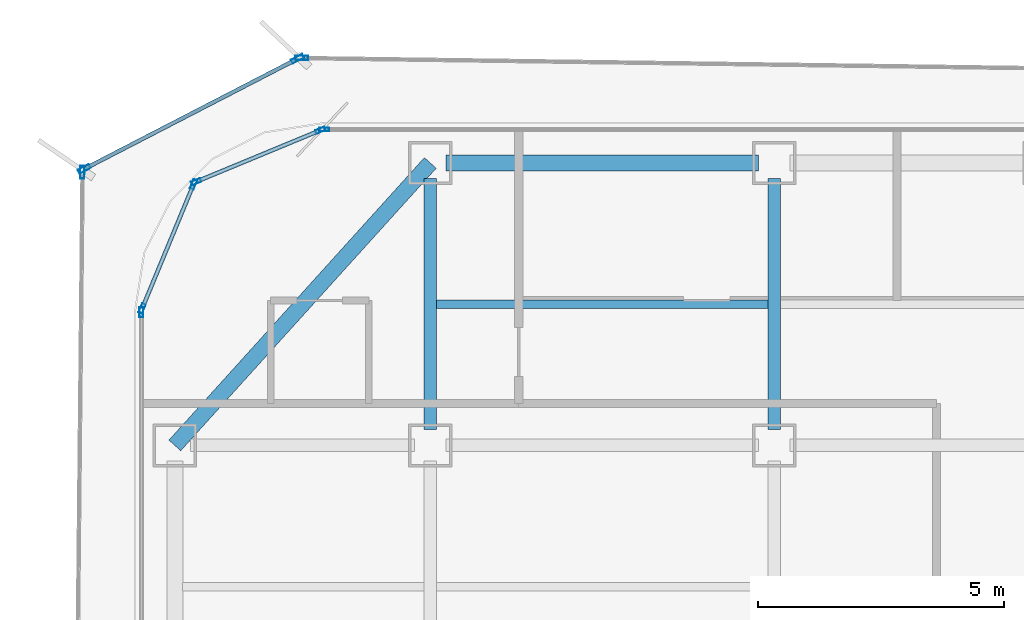
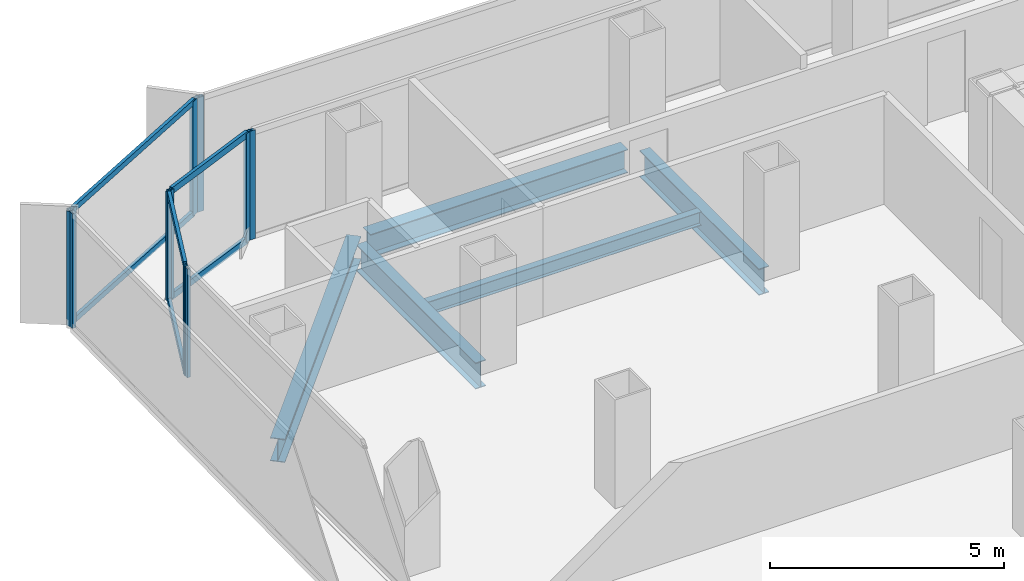
# One storey, part 10 of 21: 16 members, 5 beams, 7 elements without a shape of their own.
"""IFC4 building model written with IfcOpenShell, lengths in metres."""

from ifc_helpers import new_model, si_unit, direction, frame, origin, origin_2d, place, context, subcontext, project, spatial, hollow_rectangle, i_section, extrude, source, transform, mapped, material, layer, layer_set, material_profile, profile_set, type_object, element, aggregate, save


model = new_model("IFC4")

# Units and contexts
model_context = context("Model", 3, precision=1e-05, world=origin(), true_north=direction((0.0, 1.0)))
body_context = subcontext(model_context, "Body", "Model", "MODEL_VIEW")
ifc_project = project(units=[si_unit("LENGTHUNIT", "METRE"), si_unit("AREAUNIT", "SQUARE_METRE"), si_unit("VOLUMEUNIT", "CUBIC_METRE"), si_unit("PLANEANGLEUNIT", "RADIAN"), si_unit("MASSUNIT", "GRAM", prefix="KILO")], contexts=[model_context])

# Site, building, storey
site_placement = place(None, origin())
site = spatial("IfcSite", under=ifc_project, at=site_placement, CompositionType="ELEMENT")
building_placement = place(site_placement, origin())
building = spatial("IfcBuilding", under=site, at=building_placement, Name="Kolveth Station Tower", CompositionType="ELEMENT")
storey_placement = place(building_placement, frame((0.0, 0.0, 148.39990234375)))
storey = spatial("IfcBuildingStorey", under=building, at=storey_placement, Name="L41", CompositionType="ELEMENT", Elevation=148.39990234375)

# Beams
ifc_material_1 = material(Name="Steel S355", Category="steel")
ifc_material_profile_1 = material_profile(ifc_material_1, i_section(OverallWidth=0.323974609375, OverallDepth=0.611083984375, WebThickness=0.0126953125, FlangeThickness=0.01904296875, at=origin_2d()), Name="W610x155")
ifc_profile_set_1 = profile_set([ifc_material_profile_1], Name="Steel S355")
beam_type_1 = type_object("IfcBeamType", Name="Beam_SP2", PredefinedType="SPANDREL", material=ifc_profile_set_1)
shared_shape_1 = source(origin(), body_context, "Body", "SweptSolid", [
    extrude(i_section(OverallWidth=0.323974609375, OverallDepth=0.611083984375, WebThickness=0.0126953125, FlangeThickness=0.01904296875, at=origin_2d()), origin(), (0.0, 0.0, 1.0), 6.35986328125),
])
beam_1_placement = place(storey_placement, frame((6.320068359375, 34.5, -0.555419921875), z_axis=(1.0, 0.0, 0.0), x_axis=(0.0, 1.0, 0.0)))
element("IfcBeam", 1, at=beam_1_placement, inside=storey, type_object=beam_type_1, Name="L41 Perimeter Spandrel BM-L41-PN-1", PredefinedType="SPANDREL", context=body_context, shape_type="MappedRepresentation", body=[
    mapped(shared_shape_1, transform((0.0, 0.0, 0.0), x_axis=(1.0, 0.0, 0.0), y_axis=(0.0, 1.0, 0.0), z_axis=(0.0, 0.0, 1.0), scale=1.0)),
])
shared_shape_2 = source(origin(), body_context, "Body", "SweptSolid", [
    extrude(i_section(OverallWidth=0.323974609375, OverallDepth=0.611083984375, WebThickness=0.0126953125, FlangeThickness=0.01904296875, at=origin_2d()), origin(), (0.0, 0.0, 1.0), 7.75244140625),
])
beam_2_placement = place(storey_placement, frame((6.0, 34.5, -0.555419921875), z_axis=(-0.670740965555, -0.74169168603, 0.0), x_axis=(0.74169168603, -0.670740965555, 0.0)))
element("IfcBeam", 2, at=beam_2_placement, inside=storey, type_object=beam_type_1, Name="L41 Corner Edge Girder BM-L41-CNR-NW", PredefinedType="SPANDREL", context=body_context, shape_type="MappedRepresentation", body=[
    mapped(shared_shape_2, transform((0.0, 0.0, 0.0), x_axis=(1.0, 0.0, 0.0), y_axis=(0.0, 1.0, 0.0), z_axis=(0.0, 0.0, 1.0), scale=1.0)),
])
ifc_material_profile_2 = material_profile(ifc_material_1, i_section(OverallWidth=0.25390625, OverallDepth=0.68798828125, WebThickness=0.01318359375, FlangeThickness=0.02099609375, at=origin_2d()), Name="W690x152")
ifc_profile_set_2 = profile_set([ifc_material_profile_2], Name="Steel S355")
beam_type_2 = type_object("IfcBeamType", Name="Beam_B4", PredefinedType="BEAM", material=ifc_profile_set_2)
shared_shape_3 = source(origin(), body_context, "Body", "SweptSolid", [
    extrude(i_section(OverallWidth=0.25390625, OverallDepth=0.68798828125, WebThickness=0.01318359375, FlangeThickness=0.02099609375, at=origin_2d()), origin(), (0.0, 0.0, 1.0), 5.10986328125),
])
for number, where, z_axis, x_axis, name in (
    (3, (6.0, 29.070068359375, -0.593994140625), (0.0, 1.0, 0.0), (-1.0, 0.0, 0.0), "L41 Primary Girder BM-L41-GX60-6"),
    (4, (13.0, 29.070068359375, -0.593994140625), (0.0, 1.0, 0.0), (-1.0, 0.0, 0.0), "L41 Primary Girder BM-L41-GX130-6"),
):
    element("IfcBeam", number, at=place(storey_placement, frame(where, z_axis=z_axis, x_axis=x_axis)), inside=storey, type_object=beam_type_2, Name=name, PredefinedType="BEAM", context=body_context, shape_type="MappedRepresentation", body=[
        mapped(shared_shape_3, transform((0.0, 0.0, 0.0), x_axis=(1.0, 0.0, 0.0), y_axis=(0.0, 1.0, 0.0), z_axis=(0.0, 0.0, 1.0), scale=1.0)),
    ])
ifc_material_profile_3 = material_profile(ifc_material_1, i_section(OverallWidth=0.1708984375, OverallDepth=0.35205078125, WebThickness=0.0068359375, FlangeThickness=0.009765625, at=origin_2d()), Name="W360x44")
ifc_profile_set_3 = profile_set([ifc_material_profile_3], Name="Steel S355")
beam_type_3 = type_object("IfcBeamType", Name="Beam_J2", PredefinedType="JOIST", material=ifc_profile_set_3)
shared_shape_4 = source(origin(), body_context, "Body", "SweptSolid", [
    extrude(i_section(OverallWidth=0.1708984375, OverallDepth=0.35205078125, WebThickness=0.0068359375, FlangeThickness=0.009765625, at=origin_2d()), origin(), (0.0, 0.0, 1.0), 6.75),
])
beam_3_placement = place(storey_placement, frame((6.125, 31.625, -0.42578125), z_axis=(1.0, 0.0, 0.0), x_axis=(0.0, 1.0, 0.0)))
element("IfcBeam", 5, at=beam_3_placement, inside=storey, type_object=beam_type_3, Name="L41 Secondary Joist JST-L41-2-6", PredefinedType="JOIST", context=body_context, shape_type="MappedRepresentation", body=[
    mapped(shared_shape_4, transform((0.0, 0.0, 0.0), x_axis=(1.0, 0.0, 0.0), y_axis=(0.0, 1.0, 0.0), z_axis=(0.0, 0.0, 1.0), scale=1.0)),
])

# Curtain wall, members
ifc_material_2 = material(Name="Aluminium 6063-T6 and low-E dark glass", Category="aluminium")
ifc_layer_1 = layer(ifc_material_2, 0.18994140625)
ifc_layer_set_1 = layer_set([ifc_layer_1], Name="Aluminium 6063-T6 and low-E dark glass")
curtain_wall_type_1 = type_object("IfcCurtainWallType", Name="CurtainWall_CW-Z2", PredefinedType="NOTDEFINED", material=ifc_layer_set_1)
curtain_wall_1_placement = place(storey_placement, origin())
curtain_wall_1 = element("IfcCurtainWall", 6, at=curtain_wall_1_placement, inside=storey, type_object=curtain_wall_type_1, Name="L41 Inner Thermal Curtain Wall 7", PredefinedType="NOTDEFINED")
ifc_material_3 = material(Name="Black anodized aluminium 6063-T6", Category="aluminium")
ifc_material_profile_4 = material_profile(ifc_material_3, hollow_rectangle(XDim=0.080078125, YDim=0.169921875, WallThickness=0.0048828125, at=origin_2d()), Name="ALU-80x170x5")
ifc_profile_set_4 = profile_set([ifc_material_profile_4], Name="Black anodized aluminium 6063-T6")
member_type_1 = type_object("IfcMemberType", Name="Transom_TR2", PredefinedType="USERDEFINED", material=ifc_profile_set_4)
shared_shape_5 = source(origin(), body_context, "Body", "SweptSolid", [
    extrude(hollow_rectangle(XDim=0.080078125, YDim=0.169921875, WallThickness=0.0048828125, at=origin_2d()), origin(), (0.0, 0.0, 1.0), 2.656494140625),
])
member_1_placement = place(storey_placement, frame((3.72607421875, 35.1494140625, 0.0400390625), z_axis=(-0.923882422403, -0.382676455475, 0.0), x_axis=(0.382676455475, -0.923882422403, 0.0)))
member_1 = element("IfcMember", 7, at=member_1_placement, type_object=member_type_1, Name="CW-Z2 transom 1.1", ObjectType="TRANSOM", PredefinedType="USERDEFINED", context=body_context, shape_type="MappedRepresentation", body=[
    mapped(shared_shape_5, transform((0.0, 0.0, 0.0), x_axis=(1.0, 0.0, 0.0), y_axis=(0.0, 1.0, 0.0), z_axis=(0.0, 0.0, 1.0), scale=1.0)),
])
member_2_placement = place(storey_placement, frame((3.72607421875, 35.1494140625, 2.800048828125), z_axis=(-0.923882422403, -0.382676455475, 0.0), x_axis=(0.382676455475, -0.923882422403, 0.0)))
member_2 = element("IfcMember", 8, at=member_2_placement, type_object=member_type_1, Name="CW-Z2 transom 1.2", ObjectType="TRANSOM", PredefinedType="USERDEFINED", context=body_context, shape_type="MappedRepresentation", body=[
    mapped(shared_shape_5, transform((0.0, 0.0, 0.0), x_axis=(1.0, 0.0, 0.0), y_axis=(0.0, 1.0, 0.0), z_axis=(0.0, 0.0, 1.0), scale=1.0)),
])

curtain_wall_2_placement = place(storey_placement, origin())
curtain_wall_2 = element("IfcCurtainWall", 9, at=curtain_wall_2_placement, inside=storey, type_object=curtain_wall_type_1, Name="L41 Inner Thermal Curtain Wall 8", PredefinedType="NOTDEFINED")
member_3_placement = place(storey_placement, frame((1.167236328125, 34.0283203125, 0.0400390625), z_axis=(-0.382676455475, -0.923882422403, 0.0), x_axis=(0.923882422403, -0.382676455475, 0.0)))
member_3 = element("IfcMember", 10, at=member_3_placement, type_object=member_type_1, Name="CW-Z2 transom 1.1", ObjectType="TRANSOM", PredefinedType="USERDEFINED", context=body_context, shape_type="MappedRepresentation", body=[
    mapped(shared_shape_5, transform((0.0, 0.0, 0.0), x_axis=(1.0, 0.0, 0.0), y_axis=(0.0, 1.0, 0.0), z_axis=(0.0, 0.0, 1.0), scale=1.0)),
])
member_4_placement = place(storey_placement, frame((1.167236328125, 34.0283203125, 2.800048828125), z_axis=(-0.382676455475, -0.923882422403, 0.0), x_axis=(0.923882422403, -0.382676455475, 0.0)))
member_4 = element("IfcMember", 11, at=member_4_placement, type_object=member_type_1, Name="CW-Z2 transom 1.2", ObjectType="TRANSOM", PredefinedType="USERDEFINED", context=body_context, shape_type="MappedRepresentation", body=[
    mapped(shared_shape_5, transform((0.0, 0.0, 0.0), x_axis=(1.0, 0.0, 0.0), y_axis=(0.0, 1.0, 0.0), z_axis=(0.0, 0.0, 1.0), scale=1.0)),
])

# Curtain wall, member
ifc_material_4 = material(Name="Black anodized aluminium 6063-T6 and dark solar glass", Category="aluminium")
ifc_layer_2 = layer(ifc_material_4, 0.159912109375)
ifc_layer_set_2 = layer_set([ifc_layer_2], Name="Black anodized aluminium 6063-T6 and dark solar glass")
curtain_wall_type_2 = type_object("IfcCurtainWallType", Name="OUTER SKIN CW-OS", PredefinedType="NOTDEFINED", material=ifc_layer_set_2)
curtain_wall_3_placement = place(storey_placement, origin())
curtain_wall_3 = element("IfcCurtainWall", 12, at=curtain_wall_3_placement, inside=storey, type_object=curtain_wall_type_2, Name="L41 Outer Ventilated Skin Curtain Wall 4", PredefinedType="NOTDEFINED")
ifc_material_profile_5 = material_profile(ifc_material_3, hollow_rectangle(XDim=0.090087890625, YDim=0.260009765625, WallThickness=0.0048828125, at=origin_2d()), Name="ALU-90x260x5")
ifc_profile_set_5 = profile_set([ifc_material_profile_5], Name="Black anodized aluminium 6063-T6")
member_type_2 = type_object("IfcMemberType", Name="FIN MULLION ML-OS", PredefinedType="MULLION", material=ifc_profile_set_5)
shared_shape_6 = source(origin(), body_context, "Body", "SweptSolid", [
    extrude(hollow_rectangle(XDim=0.090087890625, YDim=0.260009765625, WallThickness=0.0048828125, at=origin_2d()), origin(), (0.0, 0.0, 1.0), 2.989990234375),
])
member_5_placement = place(storey_placement, frame((3.381591796875, 36.63916015625, 0.0), z_axis=(0.0, 0.0, 1.0), x_axis=(-0.013762969678, -0.999905285847, 0.0)))
member_5 = element("IfcMember", 13, at=member_5_placement, type_object=member_type_2, Name="CW-OS mullion 2", PredefinedType="MULLION", context=body_context, shape_type="MappedRepresentation", body=[
    mapped(shared_shape_6, transform((0.0, 0.0, 0.0), x_axis=(1.0, 0.0, 0.0), y_axis=(0.0, 1.0, 0.0), z_axis=(0.0, 0.0, 1.0), scale=1.0)),
])
aggregate(curtain_wall_3, [member_5])

# Curtain wall, members
curtain_wall_4_placement = place(storey_placement, origin())
curtain_wall_4 = element("IfcCurtainWall", 14, at=curtain_wall_4_placement, inside=storey, type_object=curtain_wall_type_2, Name="L41 Outer Ventilated Skin Curtain Wall 5", PredefinedType="NOTDEFINED")
member_6_placement = place(storey_placement, frame((3.296630859375, 36.619140625, 0.0), z_axis=(0.0, 0.0, 1.0), x_axis=(0.458964508961, -0.888454601831, 0.0)))
member_6 = element("IfcMember", 15, at=member_6_placement, type_object=member_type_2, Name="CW-OS mullion 1", PredefinedType="MULLION", context=body_context, shape_type="MappedRepresentation", body=[
    mapped(shared_shape_6, transform((0.0, 0.0, 0.0), x_axis=(1.0, 0.0, 0.0), y_axis=(0.0, 1.0, 0.0), z_axis=(0.0, 0.0, 1.0), scale=1.0)),
])
member_7_placement = place(storey_placement, frame((-1.04248046875, 34.37744140625, 0.0), z_axis=(0.0, 0.0, 1.0), x_axis=(0.458964508961, -0.888454601831, 0.0)))
member_7 = element("IfcMember", 16, at=member_7_placement, type_object=member_type_2, Name="CW-OS mullion 2", PredefinedType="MULLION", context=body_context, shape_type="MappedRepresentation", body=[
    mapped(shared_shape_6, transform((0.0, 0.0, 0.0), x_axis=(1.0, 0.0, 0.0), y_axis=(0.0, 1.0, 0.0), z_axis=(0.0, 0.0, 1.0), scale=1.0)),
])

# Curtain wall, member
curtain_wall_5_placement = place(storey_placement, origin())
curtain_wall_5 = element("IfcCurtainWall", 17, at=curtain_wall_5_placement, inside=storey, type_object=curtain_wall_type_2, Name="L41 Outer Ventilated Skin Curtain Wall 6", PredefinedType="NOTDEFINED")
member_8_placement = place(storey_placement, frame((-1.082763671875, 34.31201171875, 0.0), z_axis=(0.0, 0.0, 1.0), x_axis=(0.999948904843, -0.010108793407, 0.0)))
member_8 = element("IfcMember", 18, at=member_8_placement, type_object=member_type_2, Name="CW-OS mullion 1", PredefinedType="MULLION", context=body_context, shape_type="MappedRepresentation", body=[
    mapped(shared_shape_6, transform((0.0, 0.0, 0.0), x_axis=(1.0, 0.0, 0.0), y_axis=(0.0, 1.0, 0.0), z_axis=(0.0, 0.0, 1.0), scale=1.0)),
])
aggregate(curtain_wall_5, [member_8])

curtain_wall_6_placement = place(storey_placement, origin())
curtain_wall_6 = element("IfcCurtainWall", 19, at=curtain_wall_6_placement, inside=storey, type_object=curtain_wall_type_1, Name="L41 Inner Thermal Curtain Wall 6", PredefinedType="NOTDEFINED")
ifc_material_profile_6 = material_profile(ifc_material_3, hollow_rectangle(XDim=0.080078125, YDim=0.199951171875, WallThickness=0.0048828125, at=origin_2d()), Name="ALU-80x200x5")
ifc_profile_set_6 = profile_set([ifc_material_profile_6], Name="Black anodized aluminium 6063-T6")
member_type_3 = type_object("IfcMemberType", Name="Mullion_ML2", PredefinedType="MULLION", material=ifc_profile_set_6)
shared_shape_7 = source(origin(), body_context, "Body", "SweptSolid", [
    extrude(hollow_rectangle(XDim=0.080078125, YDim=0.199951171875, WallThickness=0.0048828125, at=origin_2d()), origin(), (0.0, 0.0, 1.0), 2.840087890625),
])
member_9_placement = place(storey_placement, frame((3.840087890625, 35.179931640625, 0.0), z_axis=(0.0, 0.0, 1.0), x_axis=(0.0, -1.0, 0.0)))
member_9 = element("IfcMember", 20, at=member_9_placement, type_object=member_type_3, Name="CW-Z2 mullion 3", PredefinedType="MULLION", context=body_context, shape_type="MappedRepresentation", body=[
    mapped(shared_shape_7, transform((0.0, 0.0, 0.0), x_axis=(1.0, 0.0, 0.0), y_axis=(0.0, 1.0, 0.0), z_axis=(0.0, 0.0, 1.0), scale=1.0)),
])
aggregate(curtain_wall_6, [member_9])

# Member
member_10_placement = place(storey_placement, frame((3.762939453125, 35.164794921875, 0.0), z_axis=(0.0, 0.0, 1.0), x_axis=(0.38266326998, -0.923887883787, 0.0)))
member_10 = element("IfcMember", 21, at=member_10_placement, type_object=member_type_3, Name="CW-Z2 mullion 1", PredefinedType="MULLION", context=body_context, shape_type="MappedRepresentation", body=[
    mapped(shared_shape_7, transform((0.0, 0.0, 0.0), x_axis=(1.0, 0.0, 0.0), y_axis=(0.0, 1.0, 0.0), z_axis=(0.0, 0.0, 1.0), scale=1.0)),
])

member_11_placement = place(storey_placement, frame((1.23486328125, 34.117431640625, 0.0), z_axis=(0.0, 0.0, 1.0), x_axis=(0.38266326998, -0.923887883787, 0.0)))
member_11 = element("IfcMember", 22, at=member_11_placement, type_object=member_type_3, Name="CW-Z2 mullion 2", PredefinedType="MULLION", context=body_context, shape_type="MappedRepresentation", body=[
    mapped(shared_shape_7, transform((0.0, 0.0, 0.0), x_axis=(1.0, 0.0, 0.0), y_axis=(0.0, 1.0, 0.0), z_axis=(0.0, 0.0, 1.0), scale=1.0)),
])

aggregate(curtain_wall_1, [member_10, member_11, member_1, member_2])

member_12_placement = place(storey_placement, frame((1.182373046875, 34.065185546875, 0.0), z_axis=(0.0, 0.0, 1.0), x_axis=(0.923887883787, -0.38266326998, 0.0)))
member_12 = element("IfcMember", 23, at=member_12_placement, type_object=member_type_3, Name="CW-Z2 mullion 1", PredefinedType="MULLION", context=body_context, shape_type="MappedRepresentation", body=[
    mapped(shared_shape_7, transform((0.0, 0.0, 0.0), x_axis=(1.0, 0.0, 0.0), y_axis=(0.0, 1.0, 0.0), z_axis=(0.0, 0.0, 1.0), scale=1.0)),
])

member_13_placement = place(storey_placement, frame((0.13525390625, 31.536865234375, 0.0), z_axis=(0.0, 0.0, 1.0), x_axis=(0.923887883787, -0.38266326998, 0.0)))
member_13 = element("IfcMember", 24, at=member_13_placement, type_object=member_type_3, Name="CW-Z2 mullion 2", PredefinedType="MULLION", context=body_context, shape_type="MappedRepresentation", body=[
    mapped(shared_shape_7, transform((0.0, 0.0, 0.0), x_axis=(1.0, 0.0, 0.0), y_axis=(0.0, 1.0, 0.0), z_axis=(0.0, 0.0, 1.0), scale=1.0)),
])

aggregate(curtain_wall_2, [member_12, member_13, member_3, member_4])

# Curtain wall, member
curtain_wall_7_placement = place(storey_placement, origin())
curtain_wall_7 = element("IfcCurtainWall", 25, at=curtain_wall_7_placement, inside=storey, type_object=curtain_wall_type_1, Name="L41 Inner Thermal Curtain Wall 9", PredefinedType="NOTDEFINED")
member_14_placement = place(storey_placement, frame((0.1201171875, 31.4599609375, 0.0), z_axis=(0.0, 0.0, 1.0), x_axis=(1.0, 0.0, 0.0)))
member_14 = element("IfcMember", 26, at=member_14_placement, type_object=member_type_3, Name="CW-Z2 mullion 1", PredefinedType="MULLION", context=body_context, shape_type="MappedRepresentation", body=[
    mapped(shared_shape_7, transform((0.0, 0.0, 0.0), x_axis=(1.0, 0.0, 0.0), y_axis=(0.0, 1.0, 0.0), z_axis=(0.0, 0.0, 1.0), scale=1.0)),
])
aggregate(curtain_wall_7, [member_14])

# Member
ifc_material_profile_7 = material_profile(ifc_material_3, hollow_rectangle(XDim=0.080078125, YDim=0.14990234375, WallThickness=0.0048828125, at=origin_2d()), Name="ALU-80x150x5")
ifc_profile_set_7 = profile_set([ifc_material_profile_7], Name="Black anodized aluminium 6063-T6")
member_type_4 = type_object("IfcMemberType", Name="Transom_TR-OS", PredefinedType="USERDEFINED", material=ifc_profile_set_7)
shared_shape_8 = source(origin(), body_context, "Body", "SweptSolid", [
    extrude(hollow_rectangle(XDim=0.080078125, YDim=0.14990234375, WallThickness=0.0048828125, at=origin_2d()), origin(), (0.0, 0.0, 1.0), 4.793701171875),
])
member_15_placement = place(storey_placement, frame((3.256591796875, 36.598388671875, 0.0400390625), z_axis=(-0.888451866699, -0.458969803537, 0.0), x_axis=(0.458969803537, -0.888451866699, 0.0)))
member_15 = element("IfcMember", 27, at=member_15_placement, type_object=member_type_4, Name="CW-OS transom 1.1", ObjectType="TRANSOM", PredefinedType="USERDEFINED", context=body_context, shape_type="MappedRepresentation", body=[
    mapped(shared_shape_8, transform((0.0, 0.0, 0.0), x_axis=(1.0, 0.0, 0.0), y_axis=(0.0, 1.0, 0.0), z_axis=(0.0, 0.0, 1.0), scale=1.0)),
])

member_16_placement = place(storey_placement, frame((3.256591796875, 36.598388671875, 2.9501953125), z_axis=(-0.888451866699, -0.458969803537, 0.0), x_axis=(0.458969803537, -0.888451866699, 0.0)))
member_16 = element("IfcMember", 28, at=member_16_placement, type_object=member_type_4, Name="CW-OS transom 1.2", ObjectType="TRANSOM", PredefinedType="USERDEFINED", context=body_context, shape_type="MappedRepresentation", body=[
    mapped(shared_shape_8, transform((0.0, 0.0, 0.0), x_axis=(1.0, 0.0, 0.0), y_axis=(0.0, 1.0, 0.0), z_axis=(0.0, 0.0, 1.0), scale=1.0)),
])

aggregate(curtain_wall_4, [member_6, member_7, member_15, member_16])

save(model, "model.ifc")
